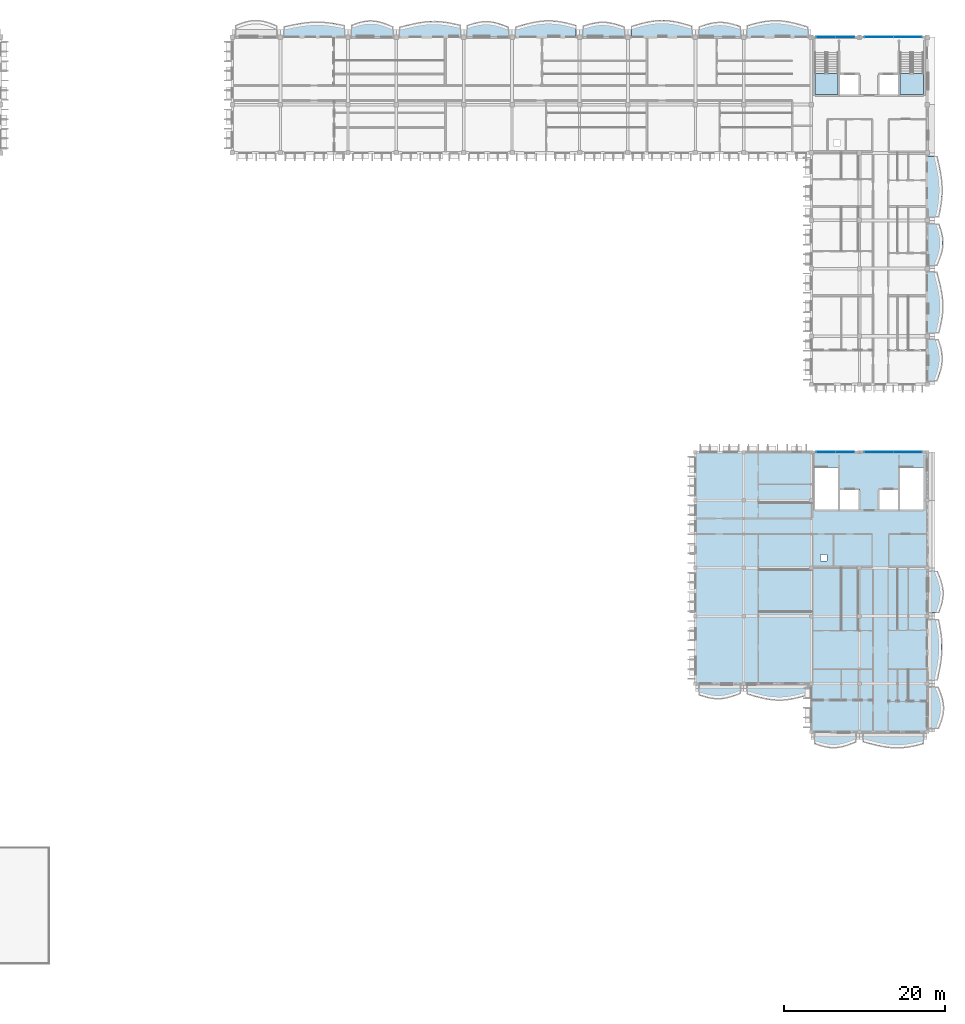
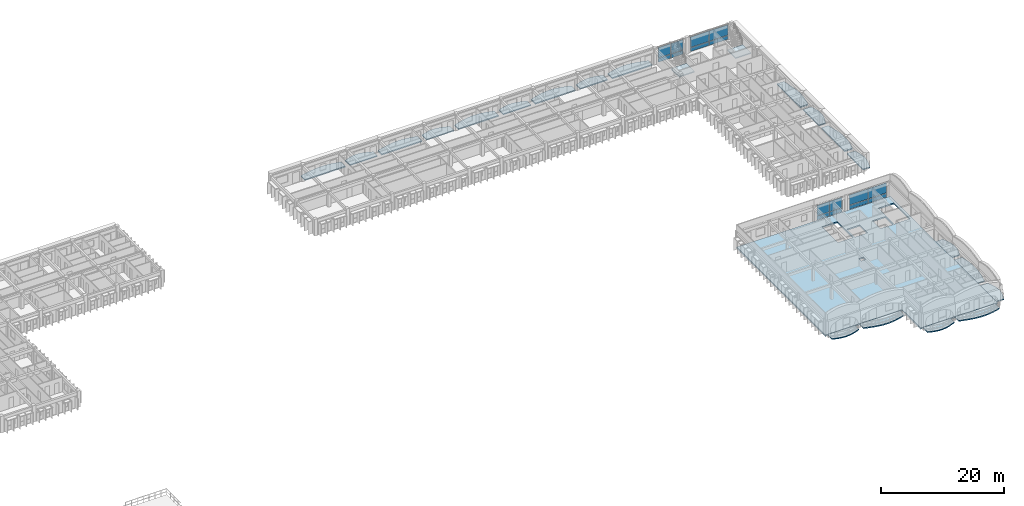
# One storey, part 11 of 59: 23 slabs, 16 plates, 6 elements without a shape of their own.
"""IFC4 building model written with IfcOpenShell, lengths in metres."""

import ifcopenshell
import ifcopenshell.guid

model = None  # the IFC model being written
_history = None  # IfcOwnerHistory: only IFC2X3 demands one
_inside = {}  # id of a spatial element -> (the spatial element, [elements in it])
_under = {}  # id of a project, library or spatial element -> (it, [spatial elements below it])
_declared = {}  # id of a project -> (the project, [libraries it declares])
_typed = {}  # id of a type object -> (the type object, [elements of that type])
_made_of = {}  # id of a material, layer set ... -> (it, [elements and type objects made of it])


def new_model(schema):
    """Start an empty IFC model of exactly this schema.

    Asked for "IFC4X3", IfcOpenShell would pick the latest addendum, in which some entities
    have other attributes; the version numbers below select the first issue.
    IFC2X3 requires an IfcOwnerHistory on every rooted entity: one is made here for all.
    """
    global model, _history
    if schema == "IFC4X3":
        model = ifcopenshell.file(schema_version=(4, 3, 0, 0))
    else:
        model = ifcopenshell.file(schema=schema)
    _inside.clear()
    _under.clear()
    _declared.clear()
    _typed.clear()
    _made_of.clear()
    _history = None
    if model.schema == "IFC2X3":
        org = make("IfcOrganization", Name="unknown")
        user = make(
            "IfcPersonAndOrganization",
            ThePerson=make("IfcPerson", FamilyName="unknown"),
            TheOrganization=org,
        )
        app = make(
            "IfcApplication",
            ApplicationDeveloper=org,
            Version="unknown",
            ApplicationFullName="unknown",
            ApplicationIdentifier="unknown",
        )
        _history = make(
            "IfcOwnerHistory",
            OwningUser=user,
            OwningApplication=app,
            ChangeAction="ADDED",
            CreationDate=0,
        )
    return model


def make(cls, **values):
    """One entity of the class cls with the attributes given. An attribute that is None is left unset."""
    return model.create_entity(
        cls, **{name: value for name, value in values.items() if value is not None}
    )


def rooted(cls, **values):
    """An entity with a GlobalId (a new one), such as an element, a storey or a relation."""
    return make(cls, GlobalId=ifcopenshell.guid.new(), OwnerHistory=_history, **values)


def si_unit(unit_type, name, prefix=None):
    """IfcSIUnit, for example si_unit("LENGTHUNIT", "METRE", prefix="MILLI")."""
    return make("IfcSIUnit", UnitType=unit_type, Prefix=prefix, Name=name)


def assignment(units):
    """IfcUnitAssignment: the units of a project."""
    return None if units is None else make("IfcUnitAssignment", Units=units)


def point(xyz):
    """IfcCartesianPoint."""
    return None if xyz is None else make("IfcCartesianPoint", Coordinates=xyz)


def direction(xyz):
    """IfcDirection."""
    return None if xyz is None else make("IfcDirection", DirectionRatios=xyz)


def frame(location, z_axis=None, x_axis=None):
    """IfcAxis2Placement3D, a coordinate frame: its origin and axes. An axis left out is left unset."""
    return make(
        "IfcAxis2Placement3D",
        Location=point(location),
        Axis=direction(z_axis),
        RefDirection=direction(x_axis),
    )


def frame_2d(location, x_axis=None):
    """IfcAxis2Placement2D, a coordinate frame in the plane: its origin and x axis."""
    return make(
        "IfcAxis2Placement2D", Location=point(location), RefDirection=direction(x_axis)
    )


def origin():
    """The frame at (0, 0, 0) with its axes left unset."""
    return frame((0.0, 0.0, 0.0))


def origin_2d():
    """The frame at (0, 0) in the plane with its x axis left unset."""
    return frame_2d((0.0, 0.0))


def place(relative_to, where):
    """IfcLocalPlacement: puts the frame where relative to a parent placement (None: the world)."""
    return make(
        "IfcLocalPlacement", PlacementRelTo=relative_to, RelativePlacement=where
    )


def context(
    kind, dimensions, precision=None, world=None, true_north=None, identifier=None
):
    """IfcGeometricRepresentationContext, for example the 3D "Model" context."""
    return make(
        "IfcGeometricRepresentationContext",
        ContextIdentifier=identifier,
        ContextType=kind,
        CoordinateSpaceDimension=dimensions,
        Precision=precision,
        WorldCoordinateSystem=world,
        TrueNorth=true_north,
    )


def subcontext(parent, identifier, kind, view, scale=None):
    """IfcGeometricRepresentationSubContext, for example "Body" below "Model"."""
    return make(
        "IfcGeometricRepresentationSubContext",
        ContextIdentifier=identifier,
        ContextType=kind,
        ParentContext=parent,
        TargetScale=scale,
        TargetView=view,
    )


def project(units=None, contexts=None):
    """IfcProject with its units and contexts."""
    return rooted(
        "IfcProject",
        Name="project",
        RepresentationContexts=contexts,
        UnitsInContext=assignment(units),
    )


def spatial(cls, under=None, at=None, **own):
    """A site, building, storey or space (cls), placed at a placement, below another one or the project."""
    s = rooted(cls, ObjectPlacement=at, **own)
    if under is not None:
        _under.setdefault(under.id(), (under, []))[1].append(s)
    return s


def polyline(points):
    """IfcPolyline through the points."""
    return make("IfcPolyline", Points=[point(p) for p in points])


def profile(cls, at=None, kind="AREA", **sizes):
    """A parametric profile (cls). Its sizes go by their IFC names, for example OverallWidth=200.0."""
    return make(cls, ProfileType=kind, Position=at, **sizes)


def rectangle(**sizes):
    """IfcRectangleProfileDef."""
    return profile("IfcRectangleProfileDef", **sizes)


def outline(outer, holes=None, kind="AREA"):
    """IfcArbitraryClosedProfileDef: a profile drawn as a closed curve; with holes, ...WithVoids."""
    if holes is None:
        return make("IfcArbitraryClosedProfileDef", ProfileType=kind, OuterCurve=outer)
    return make(
        "IfcArbitraryProfileDefWithVoids",
        ProfileType=kind,
        OuterCurve=outer,
        InnerCurves=holes,
    )


def extrude(swept, where, along, depth):
    """IfcExtrudedAreaSolid: the profile swept, set in the frame where, extruded along a direction by depth."""
    return make(
        "IfcExtrudedAreaSolid",
        SweptArea=swept,
        Position=where,
        ExtrudedDirection=direction(along),
        Depth=depth,
    )


def shape(context_of_items, identifier, shape_type, items):
    """IfcShapeRepresentation: the items that make up one representation, for example the "Body"."""
    return make(
        "IfcShapeRepresentation",
        ContextOfItems=context_of_items,
        RepresentationIdentifier=identifier,
        RepresentationType=shape_type,
        Items=items,
    )


def material(Name=None, Category=None):
    """IfcMaterial."""
    return make("IfcMaterial", Name=Name, Category=Category)


def layer(
    of_material, thickness, ventilated=None, Name=None, Category=None, Priority=None
):
    """IfcMaterialLayer: one layer of a wall or slab, of a material (None: an air gap)."""
    return make(
        "IfcMaterialLayer",
        Material=of_material,
        LayerThickness=thickness,
        IsVentilated=ventilated,
        Name=Name,
        Category=Category,
        Priority=Priority,
    )


def layer_set(layers, Name=None):
    """IfcMaterialLayerSet."""
    return make("IfcMaterialLayerSet", MaterialLayers=layers, LayerSetName=Name)


def made_of(thing, what):
    """Note that an element or type object is made of a material, layer set ...; save() writes the relation."""
    if what is not None:
        _made_of.setdefault(what.id(), (what, []))[1].append(thing)
    return thing


def type_object(cls, material=None, **own):
    """A type object (cls), such as IfcWallType, which elements share."""
    return made_of(rooted(cls, **own), material)


def element(
    cls,
    number,
    at=None,
    inside=None,
    cuts=None,
    type_object=None,
    material=None,
    context=None,
    identifier="Body",
    shape_type=None,
    held_by="IfcProductDefinitionShape",
    body=None,
    shapes=None,
    **own,
):
    """One element of the class cls, such as IfcWall. Its Tag is "e" and its number.

    at: its placement. inside: the storey or other place that contains it. cuts: it is an
    opening in that element (IfcRelVoidsElement). A single representation is given by context,
    identifier, shape_type and body (its items); several are given by shapes. held_by: the class
    of the entity that holds the representations. save() writes the other relations.
    """
    e = rooted(cls, Tag="e%d" % number, ObjectPlacement=at, **own)
    if body is not None:
        shapes = [shape(context, identifier, shape_type, body)]
    if shapes is not None:
        e.Representation = make(held_by, Representations=shapes)
    if inside is not None:
        _inside.setdefault(inside.id(), (inside, []))[1].append(e)
    if cuts is not None:
        rooted(
            "IfcRelVoidsElement", RelatingBuildingElement=cuts, RelatedOpeningElement=e
        )
    if type_object is not None:
        _typed.setdefault(type_object.id(), (type_object, []))[1].append(e)
    return made_of(e, material)


def aggregate(whole, parts):
    """IfcRelAggregates: a whole, such as a stair, and the parts it consists of."""
    return rooted("IfcRelAggregates", RelatingObject=whole, RelatedObjects=parts)


def save(model, path):
    """Write the relations noted so far, then the file.

    IfcRelAggregates (storeys below a building ...), IfcRelContainedInSpatialStructure (elements
    in a storey), IfcRelDefinesByType, IfcRelAssociatesMaterial and IfcRelDeclares: one each for
    every whole, place, type object, material and project.
    """
    for whole, parts in _under.values():
        aggregate(whole, parts)
    for where, things in _inside.values():
        rooted(
            "IfcRelContainedInSpatialStructure",
            RelatedElements=things,
            RelatingStructure=where,
        )
    for kind, things in _typed.values():
        rooted("IfcRelDefinesByType", RelatedObjects=things, RelatingType=kind)
    for what, things in _made_of.values():
        rooted("IfcRelAssociatesMaterial", RelatedObjects=things, RelatingMaterial=what)
    for by, libraries in _declared.values():
        rooted("IfcRelDeclares", RelatingContext=by, RelatedDefinitions=libraries)
    model.write(path)


model = new_model("IFC4")

# Units and contexts
model_context = context("Model", 3, precision=1e-05, world=origin(), true_north=direction((0.0, 1.0)))
body_context = subcontext(model_context, "Body", "Model", "MODEL_VIEW")
ifc_project = project(units=[si_unit("LENGTHUNIT", "METRE"), si_unit("AREAUNIT", "SQUARE_METRE"), si_unit("VOLUMEUNIT", "CUBIC_METRE"), si_unit("PLANEANGLEUNIT", "RADIAN"), si_unit("MASSUNIT", "GRAM", prefix="KILO"), si_unit("THERMODYNAMICTEMPERATUREUNIT", "KELVIN")], contexts=[model_context])

# Site, building, storey
site_placement = place(None, origin())
site = spatial("IfcSite", under=ifc_project, at=site_placement, CompositionType="ELEMENT")
building_placement = place(site_placement, origin())
building = spatial("IfcBuilding", under=site, at=building_placement, Name="Thalorik Housing Commons", CompositionType="ELEMENT")
storey_placement = place(building_placement, frame((0.0, 0.0, 27.89990234375)))
storey = spatial("IfcBuildingStorey", under=building, at=storey_placement, Name="L08", CompositionType="ELEMENT", Elevation=27.89990234375)

# Curtain wall, plates
ifc_material_1 = material(Name="Anodised aluminium and solar-control low-E glass", Category="aluminium")
curtain_wall_type = type_object("IfcCurtainWallType", Name="ARC-CW-CORE", PredefinedType="USERDEFINED", material=ifc_material_1)
curtain_wall_1_placement = place(storey_placement, origin())
curtain_wall_1 = element("IfcCurtainWall", 1, at=curtain_wall_1_placement, inside=storey, type_object=curtain_wall_type, Name="L08 Curtain Wall CW-CORE-L08-B-107", ObjectType="CURTAIN WALL", PredefinedType="USERDEFINED")
ifc_material_2 = material(Name="Cobalt blue enamelled aluminium spandrel panel", Category="aluminium")
ifc_layer_1 = layer(ifc_material_2, 0.0458984375, Name="Cobalt blue enamelled aluminium spandrel panel", Category="aluminium")
ifc_layer_set_1 = layer_set([ifc_layer_1], Name="Cobalt blue enamelled aluminium spandrel panel")
plate_type_1 = type_object("IfcPlateType", Name="ARC-CP-BLU-46", PredefinedType="CURTAIN_PANEL", material=ifc_layer_set_1)
plate_1_placement = place(storey_placement, frame((164.375, 123.60009765625, 0.080078125), z_axis=(0.0, 0.0, 1.0), x_axis=(-1.0, 0.0, 0.0)))
plate_1 = element("IfcPlate", 2, at=plate_1_placement, type_object=plate_type_1, Name="CW-CORE-L08-B-107 Spandrel Panel 1", PredefinedType="CURTAIN_PANEL", context=body_context, shape_type="SweptSolid", body=[
    extrude(rectangle(XDim=3.489990234375, YDim=0.0458984375, at=origin_2d()), origin(), (0.0, 0.0, 1.0), 0.760009765625),
])
plate_2_placement = place(storey_placement, frame((160.824951171875, 123.60009765625, 0.080078125), z_axis=(0.0, 0.0, 1.0), x_axis=(-1.0, 0.0, 0.0)))
plate_2 = element("IfcPlate", 3, at=plate_2_placement, type_object=plate_type_1, Name="CW-CORE-L08-B-107 Spandrel Panel 2", PredefinedType="CURTAIN_PANEL", context=body_context, shape_type="SweptSolid", body=[
    extrude(rectangle(XDim=3.489990234375, YDim=0.0458984375, at=origin_2d()), origin(), (0.0, 0.0, 1.0), 0.760009765625),
])
ifc_material_3 = material(Name="Double solar-control low-E glass", Category="glass")
ifc_layer_2 = layer(ifc_material_3, 0.028076171875, Name="Double solar-control low-E glass", Category="glass")
ifc_layer_set_2 = layer_set([ifc_layer_2], Name="Double solar-control low-E glass")
plate_type_2 = type_object("IfcPlateType", Name="ARC-CP-GLZ-28", PredefinedType="CURTAIN_PANEL", material=ifc_layer_set_2)
plate_3_placement = place(storey_placement, frame((164.375, 123.60009765625, 0.920166015625), z_axis=(0.0, 0.0, 1.0), x_axis=(-1.0, 0.0, 0.0)))
plate_3 = element("IfcPlate", 4, at=plate_3_placement, type_object=plate_type_2, Name="CW-CORE-L08-B-107 Vision Panel 1", PredefinedType="CURTAIN_PANEL", context=body_context, shape_type="SweptSolid", body=[
    extrude(rectangle(XDim=3.489990234375, YDim=0.028076171875, at=origin_2d()), origin(), (0.0, 0.0, 1.0), 2.0400390625),
])
plate_4_placement = place(storey_placement, frame((160.824951171875, 123.60009765625, 0.920166015625), z_axis=(0.0, 0.0, 1.0), x_axis=(-1.0, 0.0, 0.0)))
plate_4 = element("IfcPlate", 5, at=plate_4_placement, type_object=plate_type_2, Name="CW-CORE-L08-B-107 Vision Panel 2", PredefinedType="CURTAIN_PANEL", context=body_context, shape_type="SweptSolid", body=[
    extrude(rectangle(XDim=3.489990234375, YDim=0.028076171875, at=origin_2d()), origin(), (0.0, 0.0, 1.0), 2.0400390625),
])
aggregate(curtain_wall_1, [plate_1, plate_3, plate_2, plate_4])

curtain_wall_2_placement = place(storey_placement, origin())
curtain_wall_2 = element("IfcCurtainWall", 6, at=curtain_wall_2_placement, inside=storey, type_object=curtain_wall_type, Name="L08 Curtain Wall CW-CORE-L08-B-108", ObjectType="CURTAIN WALL", PredefinedType="USERDEFINED")
plate_5_placement = place(storey_placement, frame((156.574951171875, 123.60009765625, 0.920166015625), z_axis=(0.0, 0.0, 1.0), x_axis=(-1.0, 0.0, 0.0)))
plate_5 = element("IfcPlate", 7, at=plate_5_placement, type_object=plate_type_2, Name="CW-CORE-L08-B-108 Vision Panel 1", PredefinedType="CURTAIN_PANEL", context=body_context, shape_type="SweptSolid", body=[
    extrude(rectangle(XDim=2.2900390625, YDim=0.028076171875, at=origin_2d()), origin(), (0.0, 0.0, 1.0), 2.0400390625),
])
plate_6_placement = place(storey_placement, frame((154.22509765625, 123.60009765625, 0.920166015625), z_axis=(0.0, 0.0, 1.0), x_axis=(-1.0, 0.0, 0.0)))
plate_6 = element("IfcPlate", 8, at=plate_6_placement, type_object=plate_type_2, Name="CW-CORE-L08-B-108 Vision Panel 2", PredefinedType="CURTAIN_PANEL", context=body_context, shape_type="SweptSolid", body=[
    extrude(rectangle(XDim=2.2900390625, YDim=0.028076171875, at=origin_2d()), origin(), (0.0, 0.0, 1.0), 2.0400390625),
])

curtain_wall_3_placement = place(storey_placement, origin())
curtain_wall_3 = element("IfcCurtainWall", 9, at=curtain_wall_3_placement, inside=storey, type_object=curtain_wall_type, Name="L08 Curtain Wall CW-CORE-L08-D-207", ObjectType="CURTAIN WALL", PredefinedType="USERDEFINED")
plate_7_placement = place(storey_placement, frame((164.375, 72.0, 0.920166015625), z_axis=(0.0, 0.0, 1.0), x_axis=(-1.0, 0.0, 0.0)))
plate_7 = element("IfcPlate", 10, at=plate_7_placement, type_object=plate_type_2, Name="CW-CORE-L08-D-207 Vision Panel 1", PredefinedType="CURTAIN_PANEL", context=body_context, shape_type="SweptSolid", body=[
    extrude(rectangle(XDim=3.489990234375, YDim=0.028076171875, at=origin_2d()), origin(), (0.0, 0.0, 1.0), 2.0400390625),
])
plate_8_placement = place(storey_placement, frame((160.824951171875, 72.0, 0.920166015625), z_axis=(0.0, 0.0, 1.0), x_axis=(-1.0, 0.0, 0.0)))
plate_8 = element("IfcPlate", 11, at=plate_8_placement, type_object=plate_type_2, Name="CW-CORE-L08-D-207 Vision Panel 2", PredefinedType="CURTAIN_PANEL", context=body_context, shape_type="SweptSolid", body=[
    extrude(rectangle(XDim=3.489990234375, YDim=0.028076171875, at=origin_2d()), origin(), (0.0, 0.0, 1.0), 2.0400390625),
])

curtain_wall_4_placement = place(storey_placement, origin())
curtain_wall_4 = element("IfcCurtainWall", 12, at=curtain_wall_4_placement, inside=storey, type_object=curtain_wall_type, Name="L08 Curtain Wall CW-CORE-L08-D-208", ObjectType="CURTAIN WALL", PredefinedType="USERDEFINED")
plate_9_placement = place(storey_placement, frame((156.574951171875, 72.0, 0.920166015625), z_axis=(0.0, 0.0, 1.0), x_axis=(-1.0, 0.0, 0.0)))
plate_9 = element("IfcPlate", 13, at=plate_9_placement, type_object=plate_type_2, Name="CW-CORE-L08-D-208 Vision Panel 1", PredefinedType="CURTAIN_PANEL", context=body_context, shape_type="SweptSolid", body=[
    extrude(rectangle(XDim=2.2900390625, YDim=0.028076171875, at=origin_2d()), origin(), (0.0, 0.0, 1.0), 2.0400390625),
])
plate_10_placement = place(storey_placement, frame((154.22509765625, 72.0, 0.920166015625), z_axis=(0.0, 0.0, 1.0), x_axis=(-1.0, 0.0, 0.0)))
plate_10 = element("IfcPlate", 14, at=plate_10_placement, type_object=plate_type_2, Name="CW-CORE-L08-D-208 Vision Panel 2", PredefinedType="CURTAIN_PANEL", context=body_context, shape_type="SweptSolid", body=[
    extrude(rectangle(XDim=2.2900390625, YDim=0.028076171875, at=origin_2d()), origin(), (0.0, 0.0, 1.0), 2.0400390625),
])
ifc_material_4 = material(Name="Oxide red enamelled aluminium spandrel panel", Category="aluminium")
ifc_layer_3 = layer(ifc_material_4, 0.0419921875, Name="Oxide red enamelled aluminium spandrel panel", Category="aluminium")
ifc_layer_set_3 = layer_set([ifc_layer_3], Name="Oxide red enamelled aluminium spandrel panel")
plate_type_3 = type_object("IfcPlateType", Name="ARC-CP-RED-42", PredefinedType="CURTAIN_PANEL", material=ifc_layer_set_3)
plate_11_placement = place(storey_placement, frame((156.574951171875, 72.0, 0.080078125), z_axis=(0.0, 0.0, 1.0), x_axis=(-1.0, 0.0, 0.0)))
plate_11 = element("IfcPlate", 15, at=plate_11_placement, type_object=plate_type_3, Name="CW-CORE-L08-D-208 Spandrel Panel 1", PredefinedType="CURTAIN_PANEL", context=body_context, shape_type="SweptSolid", body=[
    extrude(rectangle(XDim=2.2900390625, YDim=0.0419921875, at=origin_2d()), origin(), (0.0, 0.0, 1.0), 0.760009765625),
])
plate_12_placement = place(storey_placement, frame((154.22509765625, 72.0, 0.080078125), z_axis=(0.0, 0.0, 1.0), x_axis=(-1.0, 0.0, 0.0)))
plate_12 = element("IfcPlate", 16, at=plate_12_placement, type_object=plate_type_3, Name="CW-CORE-L08-D-208 Spandrel Panel 2", PredefinedType="CURTAIN_PANEL", context=body_context, shape_type="SweptSolid", body=[
    extrude(rectangle(XDim=2.2900390625, YDim=0.0419921875, at=origin_2d()), origin(), (0.0, 0.0, 1.0), 0.760009765625),
])
aggregate(curtain_wall_4, [plate_11, plate_9, plate_12, plate_10])

# Plate
ifc_material_5 = material(Name="Mineral ochre yellow aluminium spandrel panel", Category="aluminium")
ifc_layer_4 = layer(ifc_material_5, 0.050048828125, Name="Mineral ochre yellow aluminium spandrel panel", Category="aluminium")
ifc_layer_set_4 = layer_set([ifc_layer_4], Name="Mineral ochre yellow aluminium spandrel panel")
plate_type_4 = type_object("IfcPlateType", Name="ARC-CP-YEL-50", PredefinedType="CURTAIN_PANEL", material=ifc_layer_set_4)
plate_13_placement = place(storey_placement, frame((156.574951171875, 123.60009765625, 0.080078125), z_axis=(0.0, 0.0, 1.0), x_axis=(-1.0, 0.0, 0.0)))
plate_13 = element("IfcPlate", 17, at=plate_13_placement, type_object=plate_type_4, Name="CW-CORE-L08-B-108 Spandrel Panel 1", PredefinedType="CURTAIN_PANEL", context=body_context, shape_type="SweptSolid", body=[
    extrude(rectangle(XDim=2.2900390625, YDim=0.050048828125, at=origin_2d()), origin(), (0.0, 0.0, 1.0), 0.760009765625),
])

plate_14_placement = place(storey_placement, frame((154.22509765625, 123.60009765625, 0.080078125), z_axis=(0.0, 0.0, 1.0), x_axis=(-1.0, 0.0, 0.0)))
plate_14 = element("IfcPlate", 18, at=plate_14_placement, type_object=plate_type_4, Name="CW-CORE-L08-B-108 Spandrel Panel 2", PredefinedType="CURTAIN_PANEL", context=body_context, shape_type="SweptSolid", body=[
    extrude(rectangle(XDim=2.2900390625, YDim=0.050048828125, at=origin_2d()), origin(), (0.0, 0.0, 1.0), 0.760009765625),
])

aggregate(curtain_wall_2, [plate_13, plate_5, plate_14, plate_6])

plate_15_placement = place(storey_placement, frame((164.375, 72.0, 0.080078125), z_axis=(0.0, 0.0, 1.0), x_axis=(-1.0, 0.0, 0.0)))
plate_15 = element("IfcPlate", 19, at=plate_15_placement, type_object=plate_type_4, Name="CW-CORE-L08-D-207 Spandrel Panel 1", PredefinedType="CURTAIN_PANEL", context=body_context, shape_type="SweptSolid", body=[
    extrude(rectangle(XDim=3.489990234375, YDim=0.050048828125, at=origin_2d()), origin(), (0.0, 0.0, 1.0), 0.760009765625),
])

plate_16_placement = place(storey_placement, frame((160.824951171875, 72.0, 0.080078125), z_axis=(0.0, 0.0, 1.0), x_axis=(-1.0, 0.0, 0.0)))
plate_16 = element("IfcPlate", 20, at=plate_16_placement, type_object=plate_type_4, Name="CW-CORE-L08-D-207 Spandrel Panel 2", PredefinedType="CURTAIN_PANEL", context=body_context, shape_type="SweptSolid", body=[
    extrude(rectangle(XDim=3.489990234375, YDim=0.050048828125, at=origin_2d()), origin(), (0.0, 0.0, 1.0), 0.760009765625),
])

aggregate(curtain_wall_3, [plate_15, plate_7, plate_16, plate_8])

# Stair, slab
ifc_material_6 = material(Name="Precast concrete C40/50", Category="concrete")
stair_type = type_object("IfcStairType", Name="ARC-STR-1350-R20", PredefinedType="HALF_TURN_STAIR", material=ifc_material_6)
stair_1_placement = place(storey_placement, origin())
stair_1 = element("IfcStair", 21, at=stair_1_placement, inside=storey, type_object=stair_type, Name="L08 Block B Smoke-Proof Stair 1", PredefinedType="HALF_TURN_STAIR")
ifc_layer_5 = layer(ifc_material_6, 0.199951171875, Name="Precast concrete C40/50", Category="concrete")
ifc_layer_set_5 = layer_set([ifc_layer_5], Name="Precast concrete C40/50")
slab_type_1 = type_object("IfcSlabType", Name="ARC-SLB-STLND-200", PredefinedType="LANDING", material=ifc_layer_set_5)
slab_1_placement = place(storey_placement, frame((0.0, 0.0, 1.4501953125)))
slab_1 = element("IfcSlab", 22, at=slab_1_placement, type_object=slab_type_1, Name="ST-B1 landing 1", PredefinedType="LANDING", context=body_context, shape_type="SweptSolid", body=[
    extrude(outline(polyline([(152.85009765625, 119.090087890625), (152.85009765625, 116.449951171875), (155.75, 116.449951171875), (155.75, 119.090087890625), (152.85009765625, 119.090087890625)])), origin(), (0.0, 0.0, 1.0), 0.199951171875),
])
aggregate(stair_1, [slab_1])

stair_2_placement = place(storey_placement, origin())
stair_2 = element("IfcStair", 23, at=stair_2_placement, inside=storey, type_object=stair_type, Name="L08 Block B Smoke-Proof Stair 2", PredefinedType="HALF_TURN_STAIR")
slab_2_placement = place(storey_placement, frame((0.0, 0.0, 1.4501953125)))
slab_2 = element("IfcSlab", 24, at=slab_2_placement, type_object=slab_type_1, Name="ST-B2 landing 1", PredefinedType="LANDING", context=body_context, shape_type="SweptSolid", body=[
    extrude(outline(polyline([(163.449951171875, 119.090087890625), (163.449951171875, 116.449951171875), (166.35009765625, 116.449951171875), (166.35009765625, 119.090087890625), (163.449951171875, 119.090087890625)])), origin(), (0.0, 0.0, 1.0), 0.199951171875),
])
aggregate(stair_2, [slab_2])

# Slabs
ifc_layer_6 = layer(ifc_material_6, 0.199951171875, Name="Precast concrete C40/50", Category="concrete")
ifc_layer_set_6 = layer_set([ifc_layer_6], Name="Precast concrete C40/50")
slab_type_2 = type_object("IfcSlabType", Name="STR-SLB-BALC-200", PredefinedType="FLOOR", material=ifc_layer_set_6)
slab_3_placement = place(storey_placement, frame((0.0, 0.0, -0.199951171875)))
element("IfcSlab", 25, at=slab_3_placement, inside=storey, type_object=slab_type_2, Name="L08 Block B Cushion Balcony 198", PredefinedType="FLOOR", context=body_context, shape_type="SweptSolid", body=[
    extrude(outline(polyline([(95.219970703125, 123.60009765625), (100.3798828125, 123.60009765625), (100.3798828125, 124.901611328125), (99.949951171875, 125.07958984375), (99.52001953125, 125.248291015625), (99.090087890625, 125.397216796875), (98.659912109375, 125.5166015625), (98.22998046875, 125.599365234375), (97.800048828125, 125.640380859375), (97.3701171875, 125.6376953125), (96.93994140625, 125.592041015625), (96.510009765625, 125.507080078125), (96.080078125, 125.388916015625), (95.64990234375, 125.24560546875), (95.219970703125, 125.087646484375), (95.219970703125, 123.60009765625)])), origin(), (0.0, 0.0, 1.0), 0.199951171875),
])
slab_4_placement = place(storey_placement, frame((0.0, 0.0, -0.199951171875)))
element("IfcSlab", 26, at=slab_4_placement, inside=storey, type_object=slab_type_2, Name="L08 Block B Cushion Balcony 200", PredefinedType="FLOOR", context=body_context, shape_type="SweptSolid", body=[
    extrude(outline(polyline([(109.6201171875, 123.60009765625), (114.780029296875, 123.60009765625), (114.780029296875, 124.85205078125), (114.35009765625, 125.0166015625), (113.919921875, 125.174072265625), (113.489990234375, 125.314453125), (113.06005859375, 125.42822265625), (112.6298828125, 125.50830078125), (112.199951171875, 125.55029296875), (111.77001953125, 125.55126953125), (111.340087890625, 125.512451171875), (110.909912109375, 125.43701171875), (110.47998046875, 125.330810546875), (110.050048828125, 125.201904296875), (109.6201171875, 125.0595703125), (109.6201171875, 123.60009765625)])), origin(), (0.0, 0.0, 1.0), 0.199951171875),
])
slab_5_placement = place(storey_placement, frame((0.0, 0.0, -0.199951171875)))
element("IfcSlab", 27, at=slab_5_placement, inside=storey, type_object=slab_type_2, Name="L08 Block B Cushion Balcony 202", PredefinedType="FLOOR", context=body_context, shape_type="SweptSolid", body=[
    extrude(outline(polyline([(124.02001953125, 123.60009765625), (129.179931640625, 123.60009765625), (129.179931640625, 124.870849609375), (128.75, 125.0185546875), (128.320068359375, 125.158935546875), (127.889892578125, 125.28271484375), (127.4599609375, 125.38134765625), (127.030029296875, 125.44775390625), (126.60009765625, 125.477783203125), (126.169921875, 125.469970703125), (125.739990234375, 125.4248046875), (125.31005859375, 125.34619140625), (124.8798828125, 125.240234375), (124.449951171875, 125.114501953125), (124.02001953125, 124.978271484375), (124.02001953125, 123.60009765625)])), origin(), (0.0, 0.0, 1.0), 0.199951171875),
])
slab_6_placement = place(storey_placement, frame((0.0, 0.0, -0.199951171875)))
element("IfcSlab", 28, at=slab_6_placement, inside=storey, type_object=slab_type_2, Name="L08 Block B Cushion Balcony 204", PredefinedType="FLOOR", context=body_context, shape_type="SweptSolid", body=[
    extrude(outline(polyline([(138.419921875, 123.60009765625), (143.580078125, 123.60009765625), (143.580078125, 124.947265625), (143.14990234375, 125.084228515625), (142.719970703125, 125.2119140625), (142.2900390625, 125.321044921875), (141.860107421875, 125.4033203125), (141.429931640625, 125.452880859375), (141.0, 125.466064453125), (140.570068359375, 125.44140625), (140.139892578125, 125.380859375), (139.7099609375, 125.2880859375), (139.280029296875, 125.169921875), (138.85009765625, 125.03466796875), (138.419921875, 124.8916015625), (138.419921875, 123.60009765625)])), origin(), (0.0, 0.0, 1.0), 0.199951171875),
])
slab_7_placement = place(storey_placement, frame((0.0, 0.0, -0.199951171875)))
element("IfcSlab", 29, at=slab_7_placement, inside=storey, type_object=slab_type_2, Name="L08 Block B Cushion Balcony 206", PredefinedType="FLOOR", context=body_context, shape_type="SweptSolid", body=[
    extrude(outline(polyline([(168.05029296875, 80.820068359375), (168.208984375, 81.25), (168.361083984375, 81.679931640625), (168.496337890625, 82.110107421875), (168.60595703125, 82.5400390625), (168.6826171875, 82.969970703125), (168.721435546875, 83.39990234375), (168.720947265625, 83.830078125), (168.681396484375, 84.260009765625), (168.6064453125, 84.68994140625), (168.501708984375, 85.1201171875), (168.375244140625, 85.550048828125), (168.236328125, 85.97998046875), (166.800048828125, 85.97998046875), (166.800048828125, 80.820068359375), (168.05029296875, 80.820068359375)])), origin(), (0.0, 0.0, 1.0), 0.199951171875),
])
slab_8_placement = place(storey_placement, frame((0.0, 0.0, -0.199951171875)))
element("IfcSlab", 30, at=slab_8_placement, inside=storey, type_object=slab_type_2, Name="L08 Block B Cushion Balcony 208", PredefinedType="FLOOR", context=body_context, shape_type="SweptSolid", body=[
    extrude(outline(polyline([(168.07861328125, 95.219970703125), (168.2529296875, 95.64990234375), (168.419189453125, 96.080078125), (168.56640625, 96.510009765625), (168.685546875, 96.93994140625), (168.76904296875, 97.3701171875), (168.811767578125, 97.800048828125), (168.811767578125, 98.22998046875), (168.769775390625, 98.659912109375), (168.689208984375, 99.090087890625), (168.575927734375, 99.52001953125), (168.438232421875, 99.949951171875), (168.285888671875, 100.3798828125), (166.800048828125, 100.3798828125), (166.800048828125, 95.219970703125), (168.07861328125, 95.219970703125)])), origin(), (0.0, 0.0, 1.0), 0.199951171875),
])
slab_9_placement = place(storey_placement, frame((0.0, 0.0, -0.199951171875)))
element("IfcSlab", 31, at=slab_9_placement, inside=storey, type_object=slab_type_2, Name="L08 Block D Cushion Balcony 380", PredefinedType="FLOOR", context=body_context, shape_type="SweptSolid", body=[
    extrude(outline(polyline([(168.246337890625, 37.6201171875), (168.420166015625, 38.050048828125), (168.580078125, 38.47998046875), (168.71533203125, 38.909912109375), (168.817138671875, 39.340087890625), (168.87890625, 39.77001953125), (168.89599609375, 40.199951171875), (168.8671875, 40.6298828125), (168.794677734375, 41.06005859375), (168.6826171875, 41.489990234375), (168.5380859375, 41.919921875), (168.37060546875, 42.35009765625), (168.190673828125, 42.780029296875), (166.800048828125, 42.780029296875), (166.800048828125, 37.6201171875), (168.246337890625, 37.6201171875)])), origin(), (0.0, 0.0, 1.0), 0.199951171875),
])
slab_10_placement = place(storey_placement, frame((0.0, 0.0, -0.199951171875)))
element("IfcSlab", 32, at=slab_10_placement, inside=storey, type_object=slab_type_2, Name="L08 Block D Cushion Balcony 382", PredefinedType="FLOOR", context=body_context, shape_type="SweptSolid", body=[
    extrude(outline(polyline([(168.28759765625, 52.02001953125), (168.44580078125, 52.449951171875), (168.5888671875, 52.8798828125), (168.70703125, 53.31005859375), (168.7919921875, 53.739990234375), (168.837890625, 54.169921875), (168.840576171875, 54.60009765625), (168.79931640625, 55.030029296875), (168.716552734375, 55.4599609375), (168.59716796875, 55.889892578125), (168.4482421875, 56.320068359375), (168.279541015625, 56.75), (168.1015625, 57.179931640625), (166.800048828125, 57.179931640625), (166.800048828125, 52.02001953125), (168.28759765625, 52.02001953125)])), origin(), (0.0, 0.0, 1.0), 0.199951171875),
])
slab_11_placement = place(storey_placement, frame((0.0, 0.0, -0.199951171875)))
element("IfcSlab", 33, at=slab_11_placement, inside=storey, type_object=slab_type_2, Name="L08 Block D Cushion Balcony 383", PredefinedType="FLOOR", context=body_context, shape_type="SweptSolid", body=[
    extrude(outline(polyline([(152.820068359375, 35.7177734375), (153.25, 35.568359375), (153.679931640625, 35.43310546875), (154.110107421875, 35.322265625), (154.5400390625, 35.243408203125), (154.969970703125, 35.20263671875), (155.39990234375, 35.20361328125), (155.830078125, 35.24658203125), (156.260009765625, 35.329833984375), (156.68994140625, 35.447998046875), (157.1201171875, 35.593994140625), (157.550048828125, 35.758544921875), (157.97998046875, 35.930908203125), (157.97998046875, 37.199951171875), (152.820068359375, 37.199951171875), (152.820068359375, 35.7177734375)])), origin(), (0.0, 0.0, 1.0), 0.199951171875),
])
slab_12_placement = place(storey_placement, frame((0.0, 0.0, -0.199951171875)))
element("IfcSlab", 34, at=slab_12_placement, inside=storey, type_object=slab_type_2, Name="L08 Block D Cushion Balcony 385", PredefinedType="FLOOR", context=body_context, shape_type="SweptSolid", body=[
    extrude(outline(polyline([(138.419921875, 41.777099609375), (138.85009765625, 41.639404296875), (139.280029296875, 41.513671875), (139.7099609375, 41.4091796875), (140.139892578125, 41.333740234375), (140.570068359375, 41.29345703125), (141.0, 41.29150390625), (141.429931640625, 41.32861328125), (141.860107421875, 41.403076171875), (142.2900390625, 41.510009765625), (142.719970703125, 41.642333984375), (143.14990234375, 41.79150390625), (143.580078125, 41.947509765625), (143.580078125, 43.199951171875), (138.419921875, 43.199951171875), (138.419921875, 41.777099609375)])), origin(), (0.0, 0.0, 1.0), 0.199951171875),
])
ifc_layer_7 = layer(ifc_material_6, 0.219970703125, Name="Precast concrete C40/50", Category="concrete")
ifc_layer_set_7 = layer_set([ifc_layer_7], Name="Precast concrete C40/50")
slab_type_3 = type_object("IfcSlabType", Name="STR-SLB-BALC-220", PredefinedType="FLOOR", material=ifc_layer_set_7)
slab_13_placement = place(storey_placement, frame((0.0, 0.0, -0.219970703125)))
element("IfcSlab", 35, at=slab_13_placement, inside=storey, type_object=slab_type_3, Name="L08 Block B Cushion Balcony 197", PredefinedType="FLOOR", context=body_context, shape_type="SweptSolid", body=[
    extrude(outline(polyline([(86.820068359375, 123.60009765625), (94.3798828125, 123.60009765625), (94.3798828125, 125.048583984375), (93.75, 125.179931640625), (93.1201171875, 125.296630859375), (92.489990234375, 125.390869140625), (91.860107421875, 125.456298828125), (91.22998046875, 125.489013671875), (90.60009765625, 125.486572265625), (89.969970703125, 125.44970703125), (89.340087890625, 125.380615234375), (88.7099609375, 125.284423828125), (88.080078125, 125.16748046875), (87.449951171875, 125.037841796875), (86.820068359375, 124.904296875), (86.820068359375, 123.60009765625)])), origin(), (0.0, 0.0, 1.0), 0.219970703125),
])
slab_14_placement = place(storey_placement, frame((0.0, 0.0, -0.219970703125)))
element("IfcSlab", 36, at=slab_14_placement, inside=storey, type_object=slab_type_3, Name="L08 Block B Cushion Balcony 199", PredefinedType="FLOOR", context=body_context, shape_type="SweptSolid", body=[
    extrude(outline(polyline([(101.219970703125, 123.60009765625), (108.780029296875, 123.60009765625), (108.780029296875, 125.087890625), (108.14990234375, 125.239990234375), (107.52001953125, 125.373046875), (106.889892578125, 125.477783203125), (106.260009765625, 125.54736328125), (105.6298828125, 125.5771484375), (105.0, 125.5654296875), (104.3701171875, 125.51318359375), (103.739990234375, 125.424072265625), (103.110107421875, 125.3046875), (102.47998046875, 125.162841796875), (101.85009765625, 125.0087890625), (101.219970703125, 124.8525390625), (101.219970703125, 123.60009765625)])), origin(), (0.0, 0.0, 1.0), 0.219970703125),
])
slab_15_placement = place(storey_placement, frame((0.0, 0.0, -0.219970703125)))
element("IfcSlab", 37, at=slab_15_placement, inside=storey, type_object=slab_type_3, Name="L08 Block B Cushion Balcony 201", PredefinedType="FLOOR", context=body_context, shape_type="SweptSolid", body=[
    extrude(outline(polyline([(115.6201171875, 123.60009765625), (123.179931640625, 123.60009765625), (123.179931640625, 125.057373046875), (122.550048828125, 125.234130859375), (121.919921875, 125.39208984375), (121.2900390625, 125.520263671875), (120.659912109375, 125.610107421875), (120.030029296875, 125.655517578125), (119.39990234375, 125.6533203125), (118.77001953125, 125.604248046875), (118.139892578125, 125.511474609375), (117.510009765625, 125.381591796875), (116.8798828125, 125.223876953125), (116.25, 125.048828125), (115.6201171875, 124.869140625), (115.6201171875, 123.60009765625)])), origin(), (0.0, 0.0, 1.0), 0.219970703125),
])
slab_16_placement = place(storey_placement, frame((0.0, 0.0, -0.219970703125)))
element("IfcSlab", 38, at=slab_16_placement, inside=storey, type_object=slab_type_3, Name="L08 Block B Cushion Balcony 203", PredefinedType="FLOOR", context=body_context, shape_type="SweptSolid", body=[
    extrude(outline(polyline([(130.02001953125, 123.60009765625), (137.580078125, 123.60009765625), (137.580078125, 124.97509765625), (136.949951171875, 125.16552734375), (136.320068359375, 125.34228515625), (135.68994140625, 125.4931640625), (135.06005859375, 125.607666015625), (134.429931640625, 125.677978515625), (133.800048828125, 125.698974609375), (133.169921875, 125.66943359375), (132.5400390625, 125.591552734375), (131.909912109375, 125.470458984375), (131.280029296875, 125.314697265625), (130.64990234375, 125.13525390625), (130.02001953125, 124.9443359375), (130.02001953125, 123.60009765625)])), origin(), (0.0, 0.0, 1.0), 0.219970703125),
])
slab_17_placement = place(storey_placement, frame((0.0, 0.0, -0.219970703125)))
element("IfcSlab", 39, at=slab_17_placement, inside=storey, type_object=slab_type_3, Name="L08 Block B Cushion Balcony 205", PredefinedType="FLOOR", context=body_context, shape_type="SweptSolid", body=[
    extrude(outline(polyline([(144.419921875, 123.60009765625), (151.97998046875, 123.60009765625), (151.97998046875, 124.889404296875), (151.35009765625, 125.07470703125), (150.719970703125, 125.25341796875), (150.090087890625, 125.41259765625), (149.4599609375, 125.541748046875), (148.830078125, 125.63134765625), (148.199951171875, 125.67529296875), (147.570068359375, 125.670654296875), (146.93994140625, 125.617431640625), (146.31005859375, 125.51904296875), (145.679931640625, 125.38232421875), (145.050048828125, 125.216796875), (144.419921875, 125.03369140625), (144.419921875, 123.60009765625)])), origin(), (0.0, 0.0, 1.0), 0.219970703125),
])
slab_18_placement = place(storey_placement, frame((0.0, 0.0, -0.219970703125)))
element("IfcSlab", 40, at=slab_18_placement, inside=storey, type_object=slab_type_3, Name="L08 Block B Cushion Balcony 207", PredefinedType="FLOOR", context=body_context, shape_type="SweptSolid", body=[
    extrude(outline(polyline([(168.285400390625, 86.820068359375), (168.446044921875, 87.449951171875), (168.587158203125, 88.080078125), (168.698974609375, 88.7099609375), (168.77392578125, 89.340087890625), (168.80712890625, 89.969970703125), (168.79638671875, 90.60009765625), (168.7431640625, 91.22998046875), (168.650634765625, 91.860107421875), (168.525634765625, 92.489990234375), (168.376953125, 93.1201171875), (168.214599609375, 93.75), (168.05029296875, 94.3798828125), (166.800048828125, 94.3798828125), (166.800048828125, 86.820068359375), (168.285400390625, 86.820068359375)])), origin(), (0.0, 0.0, 1.0), 0.219970703125),
])
slab_19_placement = place(storey_placement, frame((0.0, 0.0, -0.219970703125)))
element("IfcSlab", 41, at=slab_19_placement, inside=storey, type_object=slab_type_3, Name="L08 Block B Cushion Balcony 209", PredefinedType="FLOOR", context=body_context, shape_type="SweptSolid", body=[
    extrude(outline(polyline([(168.268798828125, 101.219970703125), (168.406005859375, 101.85009765625), (168.526123046875, 102.47998046875), (168.621826171875, 103.110107421875), (168.6865234375, 103.739990234375), (168.716064453125, 104.3701171875), (168.70849609375, 105.0), (168.664794921875, 105.6298828125), (168.587890625, 106.260009765625), (168.483154296875, 106.889892578125), (168.35791015625, 107.52001953125), (168.220703125, 108.14990234375), (168.08056640625, 108.780029296875), (166.800048828125, 108.780029296875), (166.800048828125, 101.219970703125), (168.268798828125, 101.219970703125)])), origin(), (0.0, 0.0, 1.0), 0.219970703125),
])
slab_20_placement = place(storey_placement, frame((0.0, 0.0, -0.219970703125)))
element("IfcSlab", 42, at=slab_20_placement, inside=storey, type_object=slab_type_3, Name="L08 Block D Cushion Balcony 381", PredefinedType="FLOOR", context=body_context, shape_type="SweptSolid", body=[
    extrude(outline(polyline([(168.104248046875, 43.6201171875), (168.23779296875, 44.25), (168.36767578125, 44.8798828125), (168.484619140625, 45.510009765625), (168.580810546875, 46.139892578125), (168.649658203125, 46.77001953125), (168.6865234375, 47.39990234375), (168.68896484375, 48.030029296875), (168.656494140625, 48.659912109375), (168.5908203125, 49.2900390625), (168.49658203125, 49.919921875), (168.3798828125, 50.550048828125), (168.24853515625, 51.179931640625), (166.800048828125, 51.179931640625), (166.800048828125, 43.6201171875), (168.104248046875, 43.6201171875)])), origin(), (0.0, 0.0, 1.0), 0.219970703125),
])
slab_21_placement = place(storey_placement, frame((0.0, 0.0, -0.219970703125)))
element("IfcSlab", 43, at=slab_21_placement, inside=storey, type_object=slab_type_3, Name="L08 Block D Cushion Balcony 384", PredefinedType="FLOOR", context=body_context, shape_type="SweptSolid", body=[
    extrude(outline(polyline([(158.820068359375, 35.947998046875), (159.449951171875, 35.779296875), (160.080078125, 35.61328125), (160.7099609375, 35.4619140625), (161.340087890625, 35.334716796875), (161.969970703125, 35.241455078125), (162.60009765625, 35.188232421875), (163.22998046875, 35.178955078125), (163.860107421875, 35.214599609375), (164.489990234375, 35.29296875), (165.1201171875, 35.40869140625), (165.75, 35.553955078125), (166.3798828125, 35.71875), (166.3798828125, 37.199951171875), (158.820068359375, 37.199951171875), (158.820068359375, 35.947998046875)])), origin(), (0.0, 0.0, 1.0), 0.219970703125),
])
slab_22_placement = place(storey_placement, frame((0.0, 0.0, -0.219970703125)))
element("IfcSlab", 44, at=slab_22_placement, inside=storey, type_object=slab_type_3, Name="L08 Block D Cushion Balcony 386", PredefinedType="FLOOR", context=body_context, shape_type="SweptSolid", body=[
    extrude(outline(polyline([(144.419921875, 41.8984375), (145.050048828125, 41.7109375), (145.679931640625, 41.53125), (146.31005859375, 41.3720703125), (146.93994140625, 41.244140625), (147.570068359375, 41.15673828125), (148.199951171875, 41.115966796875), (148.830078125, 41.12451171875), (149.4599609375, 41.181884765625), (150.090087890625, 41.28466796875), (150.719970703125, 41.42529296875), (151.35009765625, 41.593994140625), (151.97998046875, 41.77978515625), (151.97998046875, 43.199951171875), (144.419921875, 43.199951171875), (144.419921875, 41.8984375)])), origin(), (0.0, 0.0, 1.0), 0.219970703125),
])
ifc_material_7 = material(Name="Precast concrete C45/55", Category="concrete")
ifc_layer_8 = layer(ifc_material_7, 0.260009765625, Name="Precast concrete C45/55", Category="concrete")
ifc_layer_set_8 = layer_set([ifc_layer_8], Name="Precast concrete C45/55")
slab_type_4 = type_object("IfcSlabType", Name="STR-SLB-HC-260", PredefinedType="FLOOR", material=ifc_layer_set_8)
slab_23_placement = place(storey_placement, frame((0.0, 0.0, -0.260009765625)))
element("IfcSlab", 45, at=slab_23_placement, inside=storey, type_object=slab_type_4, Name="L08 Residential Block D Floor Slab", PredefinedType="FLOOR", context=body_context, shape_type="SweptSolid", body=[
    extrude(outline(polyline([(152.39990234375, 43.199951171875), (152.39990234375, 37.199951171875), (166.800048828125, 37.199951171875), (166.800048828125, 72.0), (152.39990234375, 72.0), (138.0, 72.0), (138.0, 43.199951171875), (152.39990234375, 43.199951171875)]), holes=[polyline([(152.85009765625, 70.050048828125), (155.75, 70.050048828125), (155.75, 64.85009765625), (152.85009765625, 64.85009765625), (152.85009765625, 70.050048828125)]), polyline([(166.35009765625, 70.050048828125), (166.35009765625, 64.85009765625), (163.449951171875, 64.85009765625), (163.449951171875, 70.050048828125), (166.35009765625, 70.050048828125)]), polyline([(158.39990234375, 67.39990234375), (158.39990234375, 64.85009765625), (156.0, 64.85009765625), (156.0, 67.39990234375), (158.39990234375, 67.39990234375)]), polyline([(163.199951171875, 64.85009765625), (160.800048828125, 64.85009765625), (160.800048828125, 67.39990234375), (163.199951171875, 67.39990234375), (163.199951171875, 64.85009765625)]), polyline([(153.550048828125, 58.449951171875), (153.550048828125, 59.25), (154.35009765625, 59.25), (154.35009765625, 58.449951171875), (153.550048828125, 58.449951171875)])]), origin(), (0.0, 0.0, 1.0), 0.260009765625),
])

save(model, "model.ifc")
